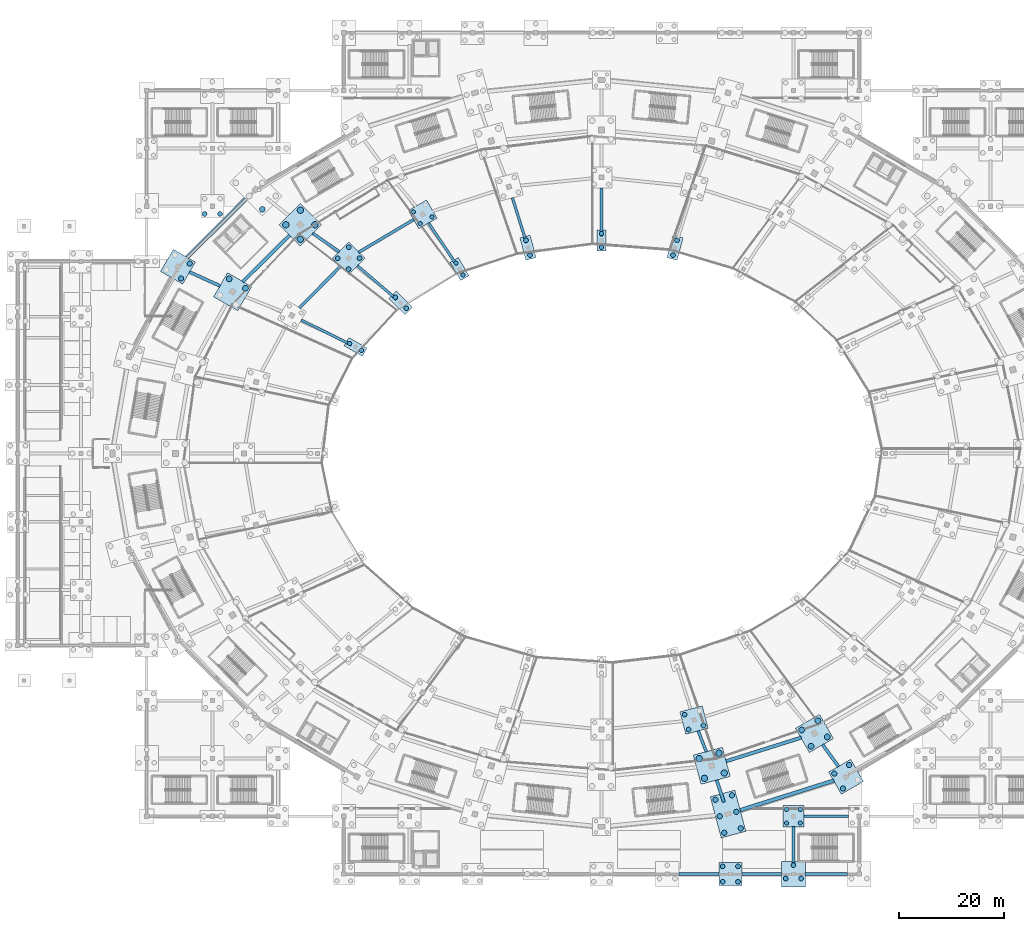
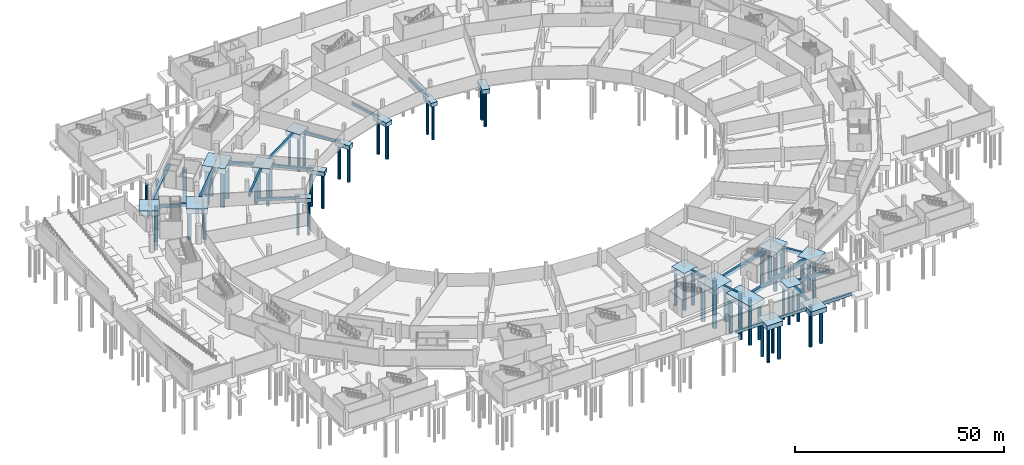
# One storey, part 5 of 74: 61 piles, 40 footings.
"""IFC4 building model written with IfcOpenShell, lengths in metres."""

import ifcopenshell
import ifcopenshell.guid

model = None  # the IFC model being written
_history = None  # IfcOwnerHistory: only IFC2X3 demands one
_inside = {}  # id of a spatial element -> (the spatial element, [elements in it])
_under = {}  # id of a project, library or spatial element -> (it, [spatial elements below it])
_declared = {}  # id of a project -> (the project, [libraries it declares])
_typed = {}  # id of a type object -> (the type object, [elements of that type])
_made_of = {}  # id of a material, layer set ... -> (it, [elements and type objects made of it])


def new_model(schema):
    """Start an empty IFC model of exactly this schema.

    Asked for "IFC4X3", IfcOpenShell would pick the latest addendum, in which some entities
    have other attributes; the version numbers below select the first issue.
    IFC2X3 requires an IfcOwnerHistory on every rooted entity: one is made here for all.
    """
    global model, _history
    if schema == "IFC4X3":
        model = ifcopenshell.file(schema_version=(4, 3, 0, 0))
    else:
        model = ifcopenshell.file(schema=schema)
    _inside.clear()
    _under.clear()
    _declared.clear()
    _typed.clear()
    _made_of.clear()
    _history = None
    if model.schema == "IFC2X3":
        org = make("IfcOrganization", Name="unknown")
        user = make(
            "IfcPersonAndOrganization",
            ThePerson=make("IfcPerson", FamilyName="unknown"),
            TheOrganization=org,
        )
        app = make(
            "IfcApplication",
            ApplicationDeveloper=org,
            Version="unknown",
            ApplicationFullName="unknown",
            ApplicationIdentifier="unknown",
        )
        _history = make(
            "IfcOwnerHistory",
            OwningUser=user,
            OwningApplication=app,
            ChangeAction="ADDED",
            CreationDate=0,
        )
    return model


def make(cls, **values):
    """One entity of the class cls with the attributes given. An attribute that is None is left unset."""
    return model.create_entity(
        cls, **{name: value for name, value in values.items() if value is not None}
    )


def rooted(cls, **values):
    """An entity with a GlobalId (a new one), such as an element, a storey or a relation."""
    return make(cls, GlobalId=ifcopenshell.guid.new(), OwnerHistory=_history, **values)


def si_unit(unit_type, name, prefix=None):
    """IfcSIUnit, for example si_unit("LENGTHUNIT", "METRE", prefix="MILLI")."""
    return make("IfcSIUnit", UnitType=unit_type, Prefix=prefix, Name=name)


def assignment(units):
    """IfcUnitAssignment: the units of a project."""
    return None if units is None else make("IfcUnitAssignment", Units=units)


def point(xyz):
    """IfcCartesianPoint."""
    return None if xyz is None else make("IfcCartesianPoint", Coordinates=xyz)


def direction(xyz):
    """IfcDirection."""
    return None if xyz is None else make("IfcDirection", DirectionRatios=xyz)


def frame(location, z_axis=None, x_axis=None):
    """IfcAxis2Placement3D, a coordinate frame: its origin and axes. An axis left out is left unset."""
    return make(
        "IfcAxis2Placement3D",
        Location=point(location),
        Axis=direction(z_axis),
        RefDirection=direction(x_axis),
    )


def frame_2d(location, x_axis=None):
    """IfcAxis2Placement2D, a coordinate frame in the plane: its origin and x axis."""
    return make(
        "IfcAxis2Placement2D", Location=point(location), RefDirection=direction(x_axis)
    )


def origin():
    """The frame at (0, 0, 0) with its axes left unset."""
    return frame((0.0, 0.0, 0.0))


def origin_2d():
    """The frame at (0, 0) in the plane with its x axis left unset."""
    return frame_2d((0.0, 0.0))


def place(relative_to, where):
    """IfcLocalPlacement: puts the frame where relative to a parent placement (None: the world)."""
    return make(
        "IfcLocalPlacement", PlacementRelTo=relative_to, RelativePlacement=where
    )


def context(
    kind, dimensions, precision=None, world=None, true_north=None, identifier=None
):
    """IfcGeometricRepresentationContext, for example the 3D "Model" context."""
    return make(
        "IfcGeometricRepresentationContext",
        ContextIdentifier=identifier,
        ContextType=kind,
        CoordinateSpaceDimension=dimensions,
        Precision=precision,
        WorldCoordinateSystem=world,
        TrueNorth=true_north,
    )


def subcontext(parent, identifier, kind, view, scale=None):
    """IfcGeometricRepresentationSubContext, for example "Body" below "Model"."""
    return make(
        "IfcGeometricRepresentationSubContext",
        ContextIdentifier=identifier,
        ContextType=kind,
        ParentContext=parent,
        TargetScale=scale,
        TargetView=view,
    )


def project(units=None, contexts=None):
    """IfcProject with its units and contexts."""
    return rooted(
        "IfcProject",
        Name="project",
        RepresentationContexts=contexts,
        UnitsInContext=assignment(units),
    )


def spatial(cls, under=None, at=None, **own):
    """A site, building, storey or space (cls), placed at a placement, below another one or the project."""
    s = rooted(cls, ObjectPlacement=at, **own)
    if under is not None:
        _under.setdefault(under.id(), (under, []))[1].append(s)
    return s


def polyline(points):
    """IfcPolyline through the points."""
    return make("IfcPolyline", Points=[point(p) for p in points])


def profile(cls, at=None, kind="AREA", **sizes):
    """A parametric profile (cls). Its sizes go by their IFC names, for example OverallWidth=200.0."""
    return make(cls, ProfileType=kind, Position=at, **sizes)


def rectangle(**sizes):
    """IfcRectangleProfileDef."""
    return profile("IfcRectangleProfileDef", **sizes)


def circle(**sizes):
    """IfcCircleProfileDef."""
    return profile("IfcCircleProfileDef", **sizes)


def outline(outer, holes=None, kind="AREA"):
    """IfcArbitraryClosedProfileDef: a profile drawn as a closed curve; with holes, ...WithVoids."""
    if holes is None:
        return make("IfcArbitraryClosedProfileDef", ProfileType=kind, OuterCurve=outer)
    return make(
        "IfcArbitraryProfileDefWithVoids",
        ProfileType=kind,
        OuterCurve=outer,
        InnerCurves=holes,
    )


def extrude(swept, where, along, depth):
    """IfcExtrudedAreaSolid: the profile swept, set in the frame where, extruded along a direction by depth."""
    return make(
        "IfcExtrudedAreaSolid",
        SweptArea=swept,
        Position=where,
        ExtrudedDirection=direction(along),
        Depth=depth,
    )


def shape(context_of_items, identifier, shape_type, items):
    """IfcShapeRepresentation: the items that make up one representation, for example the "Body"."""
    return make(
        "IfcShapeRepresentation",
        ContextOfItems=context_of_items,
        RepresentationIdentifier=identifier,
        RepresentationType=shape_type,
        Items=items,
    )


def material(Name=None, Category=None):
    """IfcMaterial."""
    return make("IfcMaterial", Name=Name, Category=Category)


def material_profile(
    of_material, cross_section, Name=None, Category=None, Priority=None
):
    """IfcMaterialProfile: a cross section and its material."""
    return make(
        "IfcMaterialProfile",
        Name=Name,
        Material=of_material,
        Profile=cross_section,
        Priority=Priority,
        Category=Category,
    )


def profile_set(profiles, Name=None, composite=None):
    """IfcMaterialProfileSet."""
    return make(
        "IfcMaterialProfileSet",
        Name=Name,
        MaterialProfiles=profiles,
        CompositeProfile=composite,
    )


def made_of(thing, what):
    """Note that an element or type object is made of a material, layer set ...; save() writes the relation."""
    if what is not None:
        _made_of.setdefault(what.id(), (what, []))[1].append(thing)
    return thing


def type_object(cls, material=None, **own):
    """A type object (cls), such as IfcWallType, which elements share."""
    return made_of(rooted(cls, **own), material)


def element(
    cls,
    number,
    at=None,
    inside=None,
    cuts=None,
    type_object=None,
    material=None,
    context=None,
    identifier="Body",
    shape_type=None,
    held_by="IfcProductDefinitionShape",
    body=None,
    shapes=None,
    **own,
):
    """One element of the class cls, such as IfcWall. Its Tag is "e" and its number.

    at: its placement. inside: the storey or other place that contains it. cuts: it is an
    opening in that element (IfcRelVoidsElement). A single representation is given by context,
    identifier, shape_type and body (its items); several are given by shapes. held_by: the class
    of the entity that holds the representations. save() writes the other relations.
    """
    e = rooted(cls, Tag="e%d" % number, ObjectPlacement=at, **own)
    if body is not None:
        shapes = [shape(context, identifier, shape_type, body)]
    if shapes is not None:
        e.Representation = make(held_by, Representations=shapes)
    if inside is not None:
        _inside.setdefault(inside.id(), (inside, []))[1].append(e)
    if cuts is not None:
        rooted(
            "IfcRelVoidsElement", RelatingBuildingElement=cuts, RelatedOpeningElement=e
        )
    if type_object is not None:
        _typed.setdefault(type_object.id(), (type_object, []))[1].append(e)
    return made_of(e, material)


def aggregate(whole, parts):
    """IfcRelAggregates: a whole, such as a stair, and the parts it consists of."""
    return rooted("IfcRelAggregates", RelatingObject=whole, RelatedObjects=parts)


def save(model, path):
    """Write the relations noted so far, then the file.

    IfcRelAggregates (storeys below a building ...), IfcRelContainedInSpatialStructure (elements
    in a storey), IfcRelDefinesByType, IfcRelAssociatesMaterial and IfcRelDeclares: one each for
    every whole, place, type object, material and project.
    """
    for whole, parts in _under.values():
        aggregate(whole, parts)
    for where, things in _inside.values():
        rooted(
            "IfcRelContainedInSpatialStructure",
            RelatedElements=things,
            RelatingStructure=where,
        )
    for kind, things in _typed.values():
        rooted("IfcRelDefinesByType", RelatedObjects=things, RelatingType=kind)
    for what, things in _made_of.values():
        rooted("IfcRelAssociatesMaterial", RelatedObjects=things, RelatingMaterial=what)
    for by, libraries in _declared.values():
        rooted("IfcRelDeclares", RelatingContext=by, RelatedDefinitions=libraries)
    model.write(path)


model = new_model("IFC4")

# Units and contexts
model_context = context("Model", 3, precision=1e-05, world=origin(), true_north=direction((0.0, 1.0)))
body_context = subcontext(model_context, "Body", "Model", "MODEL_VIEW")
ifc_project = project(units=[si_unit("LENGTHUNIT", "METRE"), si_unit("AREAUNIT", "SQUARE_METRE"), si_unit("VOLUMEUNIT", "CUBIC_METRE"), si_unit("PLANEANGLEUNIT", "RADIAN"), si_unit("MASSUNIT", "GRAM", prefix="KILO")], contexts=[model_context])

# Site, building, storey
site_placement = place(None, origin())
site = spatial("IfcSite", under=ifc_project, at=site_placement, CompositionType="ELEMENT")
building_placement = place(site_placement, origin())
building = spatial("IfcBuilding", under=site, at=building_placement, Name="Zlatoyarsky Gate Stadium", CompositionType="ELEMENT")
storey_placement = place(building_placement, frame((0.0, 0.0, -5.39990234375)))
storey = spatial("IfcBuildingStorey", under=building, at=storey_placement, Name="B1", CompositionType="ELEMENT", Elevation=-5.39990234375)

# Piles
ifc_material = material(Name="Concrete C35/45", Category="concrete")
ifc_material_profile_1 = material_profile(ifc_material, circle(Radius=0.5, at=origin_2d()), Name="BORED PILE D1000")
ifc_profile_set_1 = profile_set([ifc_material_profile_1], Name="Concrete C35/45")
pile_type_1 = type_object("IfcPileType", Name="CONCRETE BORED PILE D1000", PredefinedType="BORED", material=ifc_profile_set_1)
for number, where, z_axis, x_axis, name in (
    (1, (32.679443359375, 116.0947265625, -1.400146484375), (0.0, 0.0, -1.0), (1.0, 0.0, 0.0), "Pile 1 under RC-10"),
    (2, (31.054443359375, 113.2802734375, -1.400146484375), (0.0, 0.0, -1.0), (1.0, 0.0, 0.0), "Pile 3 under RC-10"),
):
    element("IfcPile", number, at=place(storey_placement, frame(where, z_axis=z_axis, x_axis=x_axis)), inside=storey, type_object=pile_type_1, Name=name, PredefinedType="BORED", context=body_context, shape_type="SweptSolid", body=[
        extrude(circle(Radius=0.5, at=origin_2d()), origin(), (0.0, 0.0, 1.0), 10.39990234375),
    ])
for number, where, z_axis, x_axis, name in (
    (3, (132.659423828125, 14.137939453125, -1.5), (0.0, 0.0, -1.0), (1.0, 0.0, 0.0), "Pile 1 under RC-19"),
    (4, (133.50048828125, 10.998779296875, -1.5), (0.0, 0.0, -1.0), (1.0, 0.0, 0.0), "Pile 2 under RC-19"),
    (5, (134.341796875, 7.859619140625, -1.5), (0.0, 0.0, -1.0), (1.0, 0.0, 0.0), "Pile 3 under RC-19"),
    (6, (135.798583984375, 14.97900390625, -1.5), (0.0, 0.0, -1.0), (1.0, 0.0, 0.0), "Pile 4 under RC-19"),
    (7, (136.639892578125, 11.83984375, -1.5), (0.0, 0.0, -1.0), (1.0, 0.0, 0.0), "Pile 5 under RC-19"),
    (8, (137.48095703125, 8.70068359375, -1.5), (0.0, 0.0, -1.0), (1.0, 0.0, 0.0), "Pile 6 under RC-19"),
):
    element("IfcPile", number, at=place(storey_placement, frame(where, z_axis=z_axis, x_axis=x_axis)), inside=storey, type_object=pile_type_1, Name=name, PredefinedType="BORED", context=body_context, shape_type="SweptSolid", body=[
        extrude(circle(Radius=0.5, at=origin_2d()), origin(), (0.0, 0.0, 1.0), 10.300048828125),
    ])
for number, where, z_axis, x_axis, name in (
    (9, (155.2802734375, 19.10693359375, -1.400146484375), (0.0, 0.0, -1.0), (1.0, 0.0, 0.0), "Pile 1 under RC-20"),
    (10, (156.9052734375, 16.29248046875, -1.400146484375), (0.0, 0.0, -1.0), (1.0, 0.0, 0.0), "Pile 2 under RC-20"),
    (11, (158.0947265625, 20.73193359375, -1.400146484375), (0.0, 0.0, -1.0), (1.0, 0.0, 0.0), "Pile 3 under RC-20"),
):
    element("IfcPile", number, at=place(storey_placement, frame(where, z_axis=z_axis, x_axis=x_axis)), inside=storey, type_object=pile_type_1, Name=name, PredefinedType="BORED", context=body_context, shape_type="SweptSolid", body=[
        extrude(circle(Radius=0.5, at=origin_2d()), origin(), (0.0, 0.0, 1.0), 10.39990234375),
    ])
ifc_material_profile_2 = material_profile(ifc_material, circle(Radius=0.550048828125, at=origin_2d()), Name="BORED PILE D1100")
ifc_profile_set_2 = profile_set([ifc_material_profile_2], Name="Concrete C35/45")
pile_type_2 = type_object("IfcPileType", Name="CONCRETE BORED PILE D1100", PredefinedType="BORED", material=ifc_profile_set_2)
for number, where, z_axis, x_axis, name in (
    (12, (43.293701171875, 111.404296875, -1.4501953125), (0.0, 0.0, -1.0), (1.0, 0.0, 0.0), "Pile 1 under RB-10"),
    (13, (40.197509765625, 113.19189453125, -1.4501953125), (0.0, 0.0, -1.0), (1.0, 0.0, 0.0), "Pile 2 under RB-10"),
    (14, (149.05810546875, 27.393798828125, -1.4501953125), (0.0, 0.0, -1.0), (1.0, 0.0, 0.0), "Pile 1 under RB-20"),
    (15, (150.845703125, 24.297607421875, -1.4501953125), (0.0, 0.0, -1.0), (1.0, 0.0, 0.0), "Pile 2 under RB-20"),
    (16, (152.154296875, 29.18115234375, -1.4501953125), (0.0, 0.0, -1.0), (1.0, 0.0, 0.0), "Pile 3 under RB-20"),
    (17, (153.94189453125, 26.085205078125, -1.4501953125), (0.0, 0.0, -1.0), (1.0, 0.0, 0.0), "Pile 4 under RB-20"),
):
    element("IfcPile", number, at=place(storey_placement, frame(where, z_axis=z_axis, x_axis=x_axis)), inside=storey, type_object=pile_type_2, Name=name, PredefinedType="BORED", context=body_context, shape_type="SweptSolid", body=[
        extrude(circle(Radius=0.550048828125, at=origin_2d()), origin(), (0.0, 0.0, 1.0), 10.35009765625),
    ])
pile_placement = place(storey_placement, frame((46.503173828125, 126.41259765625, -1.60009765625), z_axis=(0.0, 0.0, -1.0), x_axis=(1.0, 0.0, 0.0)))
element("IfcPile", 18, at=pile_placement, inside=storey, type_object=pile_type_2, Name="Pile 4 under RC-09", PredefinedType="BORED", context=body_context, shape_type="SweptSolid", body=[
    extrude(circle(Radius=0.550048828125, at=origin_2d()), origin(), (0.0, 0.0, 1.0), 10.199951171875),
])
ifc_material_profile_3 = material_profile(ifc_material, circle(Radius=0.60009765625, at=origin_2d()), Name="BORED PILE D1200")
ifc_profile_set_3 = profile_set([ifc_material_profile_3], Name="Concrete C35/45")
pile_type_3 = type_object("IfcPileType", Name="CONCRETE BORED PILE D1200", PredefinedType="BORED", material=ifc_profile_set_3)
for number, where, z_axis, x_axis, name in (
    (19, (56.482177734375, 123.487060546875, -1.550048828125), (0.0, 0.0, -1.0), (1.0, 0.0, 0.0), "Pile 1 under RB-09"),
    (20, (53.724365234375, 126.244873046875, -1.550048828125), (0.0, 0.0, -1.0), (1.0, 0.0, 0.0), "Pile 2 under RB-09"),
    (21, (53.724365234375, 120.7294921875, -1.550048828125), (0.0, 0.0, -1.0), (1.0, 0.0, 0.0), "Pile 3 under RB-09"),
    (22, (50.966796875, 123.487060546875, -1.550048828125), (0.0, 0.0, -1.0), (1.0, 0.0, 0.0), "Pile 4 under RB-09"),
    (23, (129.575927734375, 21.974609375, -1.550048828125), (0.0, 0.0, -1.0), (1.0, 0.0, 0.0), "Pile 1 under RB-19"),
    (24, (130.58544921875, 18.207275390625, -1.550048828125), (0.0, 0.0, -1.0), (1.0, 0.0, 0.0), "Pile 2 under RB-19"),
    (25, (133.34326171875, 22.98388671875, -1.550048828125), (0.0, 0.0, -1.0), (1.0, 0.0, 0.0), "Pile 3 under RB-19"),
    (26, (134.3525390625, 19.216796875, -1.550048828125), (0.0, 0.0, -1.0), (1.0, 0.0, 0.0), "Pile 4 under RB-19"),
):
    element("IfcPile", number, at=place(storey_placement, frame(where, z_axis=z_axis, x_axis=x_axis)), inside=storey, type_object=pile_type_3, Name=name, PredefinedType="BORED", context=body_context, shape_type="SweptSolid", body=[
        extrude(circle(Radius=0.60009765625, at=origin_2d()), origin(), (0.0, 0.0, 1.0), 10.25),
    ])
ifc_material_profile_4 = material_profile(ifc_material, circle(Radius=0.39990234375, at=origin_2d()), Name="BORED PILE D800")
ifc_profile_set_4 = profile_set([ifc_material_profile_4], Name="Concrete C35/45")
pile_type_4 = type_object("IfcPileType", Name="CONCRETE BORED PILE D800", PredefinedType="BORED", material=ifc_profile_set_4)
for number, where, z_axis, x_axis, name in (
    (27, (111.0, 119.199951171875, -1.10009765625), (0.0, 0.0, -1.0), (1.0, 0.0, 0.0), "Pile 1 under R0-06"),
    (28, (111.0, 121.800048828125, -1.10009765625), (0.0, 0.0, -1.0), (1.0, 0.0, 0.0), "Pile 2 under R0-06"),
    (29, (84.64990234375, 113.9482421875, -1.10009765625), (0.0, 0.0, -1.0), (1.0, 0.0, 0.0), "Pile 1 under R0-08"),
    (30, (83.35009765625, 116.19970703125, -1.10009765625), (0.0, 0.0, -1.0), (1.0, 0.0, 0.0), "Pile 2 under R0-08"),
    (31, (65.3603515625, 99.60009765625, -1.10009765625), (0.0, 0.0, -1.0), (1.0, 0.0, 0.0), "Pile 1 under R0-10"),
    (32, (63.10888671875, 100.89990234375, -1.10009765625), (0.0, 0.0, -1.0), (1.0, 0.0, 0.0), "Pile 2 under R0-10"),
):
    element("IfcPile", number, at=place(storey_placement, frame(where, z_axis=z_axis, x_axis=x_axis)), inside=storey, type_object=pile_type_4, Name=name, PredefinedType="BORED", context=body_context, shape_type="SweptSolid", body=[
        extrude(circle(Radius=0.39990234375, at=origin_2d()), origin(), (0.0, 0.0, 1.0), 10.10009765625),
    ])
for number, where, z_axis, x_axis, name in (
    (33, (78.77587890625, 124.990478515625, -1.25), (0.0, 0.0, -1.0), (1.0, 0.0, 0.0), "Pile 1 under RA-08"),
    (34, (76.524169921875, 123.6904296875, -1.25), (0.0, 0.0, -1.0), (1.0, 0.0, 0.0), "Pile 3 under RA-08"),
    (35, (75.22412109375, 125.942138671875, -1.25), (0.0, 0.0, -1.0), (1.0, 0.0, 0.0), "Pile 4 under RA-08"),
    (36, (146.199951171875, 9.699951171875, -1.25), (0.0, 0.0, -1.0), (1.0, 0.0, 0.0), "Pile 1 under WG-13-B"),
    (37, (148.800048828125, 9.699951171875, -1.25), (0.0, 0.0, -1.0), (1.0, 0.0, 0.0), "Pile 2 under WG-13-B"),
    (38, (146.199951171875, 12.300048828125, -1.25), (0.0, 0.0, -1.0), (1.0, 0.0, 0.0), "Pile 3 under WG-13-B"),
    (39, (148.800048828125, 12.300048828125, -1.25), (0.0, 0.0, -1.0), (1.0, 0.0, 0.0), "Pile 4 under WG-13-B"),
):
    element("IfcPile", number, at=place(storey_placement, frame(where, z_axis=z_axis, x_axis=x_axis)), inside=storey, type_object=pile_type_4, Name=name, PredefinedType="BORED", context=body_context, shape_type="SweptSolid", body=[
        extrude(circle(Radius=0.39990234375, at=origin_2d()), origin(), (0.0, 0.0, 1.0), 9.949951171875),
    ])
ifc_material_profile_5 = material_profile(ifc_material, circle(Radius=0.449951171875, at=origin_2d()), Name="BORED PILE D900")
ifc_profile_set_5 = profile_set([ifc_material_profile_5], Name="Concrete C35/45")
pile_type_5 = type_object("IfcPileType", Name="CONCRETE BORED PILE D900", PredefinedType="BORED", material=ifc_profile_set_5)
for number, where, z_axis, x_axis, name in (
    (40, (124.59765625, 117.707275390625, -1.150146484375), (0.0, 0.0, -1.0), (1.0, 0.0, 0.0), "Pile 1 under R0-05"),
    (41, (125.354736328125, 120.53271484375, -1.150146484375), (0.0, 0.0, -1.0), (1.0, 0.0, 0.0), "Pile 2 under R0-05"),
    (42, (97.40234375, 117.707275390625, -1.150146484375), (0.0, 0.0, -1.0), (1.0, 0.0, 0.0), "Pile 1 under R0-07"),
    (43, (96.645263671875, 120.53271484375, -1.150146484375), (0.0, 0.0, -1.0), (1.0, 0.0, 0.0), "Pile 2 under R0-07"),
    (44, (73.850341796875, 107.603759765625, -1.150146484375), (0.0, 0.0, -1.0), (1.0, 0.0, 0.0), "Pile 1 under R0-09"),
    (45, (71.781982421875, 109.671875, -1.150146484375), (0.0, 0.0, -1.0), (1.0, 0.0, 0.0), "Pile 2 under R0-09"),
):
    element("IfcPile", number, at=place(storey_placement, frame(where, z_axis=z_axis, x_axis=x_axis)), inside=storey, type_object=pile_type_5, Name=name, PredefinedType="BORED", context=body_context, shape_type="SweptSolid", body=[
        extrude(circle(Radius=0.449951171875, at=origin_2d()), origin(), (0.0, 0.0, 1.0), 10.050048828125),
    ])
for number, where, z_axis, x_axis, name in (
    (46, (64.985107421875, 117.123046875, -1.300048828125), (0.0, 0.0, -1.0), (1.0, 0.0, 0.0), "Pile 1 under RA-09"),
    (47, (62.916748046875, 119.19140625, -1.300048828125), (0.0, 0.0, -1.0), (1.0, 0.0, 0.0), "Pile 2 under RA-09"),
    (48, (62.916748046875, 115.0546875, -1.300048828125), (0.0, 0.0, -1.0), (1.0, 0.0, 0.0), "Pile 3 under RA-09"),
    (49, (60.848388671875, 117.123046875, -1.300048828125), (0.0, 0.0, -1.0), (1.0, 0.0, 0.0), "Pile 4 under RA-09"),
    (50, (126.80859375, 30.322998046875, -1.300048828125), (0.0, 0.0, -1.0), (1.0, 0.0, 0.0), "Pile 1 under RA-19"),
    (51, (127.565673828125, 27.497802734375, -1.300048828125), (0.0, 0.0, -1.0), (1.0, 0.0, 0.0), "Pile 2 under RA-19"),
    (52, (130.390869140625, 28.2548828125, -1.300048828125), (0.0, 0.0, -1.0), (1.0, 0.0, 0.0), "Pile 4 under RA-19"),
    (53, (134.03759765625, -1.46240234375, -1.300048828125), (0.0, 0.0, -1.0), (1.0, 0.0, 0.0), "Pile 1 under WG-12-A"),
    (54, (136.96240234375, -1.46240234375, -1.300048828125), (0.0, 0.0, -1.0), (1.0, 0.0, 0.0), "Pile 2 under WG-12-A"),
    (55, (134.03759765625, 1.46240234375, -1.300048828125), (0.0, 0.0, -1.0), (1.0, 0.0, 0.0), "Pile 3 under WG-12-A"),
    (56, (136.96240234375, 1.46240234375, -1.300048828125), (0.0, 0.0, -1.0), (1.0, 0.0, 0.0), "Pile 4 under WG-12-A"),
):
    element("IfcPile", number, at=place(storey_placement, frame(where, z_axis=z_axis, x_axis=x_axis)), inside=storey, type_object=pile_type_5, Name=name, PredefinedType="BORED", context=body_context, shape_type="SweptSolid", body=[
        extrude(circle(Radius=0.449951171875, at=origin_2d()), origin(), (0.0, 0.0, 1.0), 9.89990234375),
    ])
for number, where, z_axis, x_axis, name in (
    (57, (146.03759765625, -0.84423828125, -1.25), (0.0, 0.0, -1.0), (1.0, 0.0, 0.0), "Pile 1 under WG-13-A"),
    (58, (148.96240234375, -0.84423828125, -1.25), (0.0, 0.0, -1.0), (1.0, 0.0, 0.0), "Pile 2 under WG-13-A"),
    (59, (147.5, 1.688720703125, -1.25), (0.0, 0.0, -1.0), (1.0, 0.0, 0.0), "Pile 3 under WG-13-A"),
):
    element("IfcPile", number, at=place(storey_placement, frame(where, z_axis=z_axis, x_axis=x_axis)), inside=storey, type_object=pile_type_5, Name=name, PredefinedType="BORED", context=body_context, shape_type="SweptSolid", body=[
        extrude(circle(Radius=0.449951171875, at=origin_2d()), origin(), (0.0, 0.0, 1.0), 9.949951171875),
    ])
for number, where, z_axis, x_axis, name in (
    (60, (35.53759765625, 125.53759765625, -1.300048828125), (0.0, 0.0, -1.0), (1.0, 0.0, 0.0), "Pile 1 under WG-4-M"),
    (61, (38.46240234375, 125.53759765625, -1.300048828125), (0.0, 0.0, -1.0), (1.0, 0.0, 0.0), "Pile 2 under WG-4-M"),
):
    element("IfcPile", number, at=place(storey_placement, frame(where, z_axis=z_axis, x_axis=x_axis)), inside=storey, type_object=pile_type_5, Name=name, PredefinedType="BORED", context=body_context, shape_type="SweptSolid", body=[
        extrude(circle(Radius=0.449951171875, at=origin_2d()), origin(), (0.0, 0.0, 1.0), 9.89990234375),
    ])

# Footings
ifc_material_profile_6 = material_profile(ifc_material, rectangle(XDim=0.5, YDim=0.800048828125, at=origin_2d()), Name="GB 500X800")
ifc_profile_set_6 = profile_set([ifc_material_profile_6], Name="Concrete C35/45")
footing_type_1 = type_object("IfcFootingType", Name="CONCRETE GROUND TIE BEAM 500X800", PredefinedType="STRIP_FOOTING", material=ifc_profile_set_6)
footing_1_placement = place(storey_placement, frame((0.0, 0.0, -0.800048828125)))
element("IfcFooting", 62, at=footing_1_placement, inside=storey, type_object=footing_type_1, Name="Ground tie beam GB-01 R0-06 to RA-06", PredefinedType="STRIP_FOOTING", context=body_context, shape_type="SweptSolid", body=[
    extrude(outline(polyline([(111.25, 121.389892578125), (111.25, 130.510009765625), (110.75, 130.510009765625), (110.75, 121.389892578125), (111.25, 121.389892578125)])), origin(), (0.0, 0.0, 1.0), 0.800048828125),
])
footing_2_placement = place(storey_placement, frame((0.0, 0.0, -0.800048828125)))
element("IfcFooting", 63, at=footing_2_placement, inside=storey, type_object=footing_type_1, Name="Ground tie beam GB-01 R0-07 to RA-07", PredefinedType="STRIP_FOOTING", context=body_context, shape_type="SweptSolid", body=[
    extrude(outline(polyline([(96.967041015625, 120.139404296875), (94.292236328125, 128.695556640625), (93.815185546875, 128.54638671875), (96.48974609375, 119.990234375), (96.967041015625, 120.139404296875)])), origin(), (0.0, 0.0, 1.0), 0.800048828125),
])
footing_3_placement = place(storey_placement, frame((0.0, 0.0, -0.800048828125)))
element("IfcFooting", 64, at=footing_3_placement, inside=storey, type_object=footing_type_1, Name="Ground tie beam GB-01 R0-08 to RA-08", PredefinedType="STRIP_FOOTING", context=body_context, shape_type="SweptSolid", body=[
    extrude(outline(polyline([(83.710205078125, 115.951904296875), (78.319091796875, 123.95556640625), (77.904296875, 123.676025390625), (83.29541015625, 115.672607421875), (83.710205078125, 115.951904296875)])), origin(), (0.0, 0.0, 1.0), 0.800048828125),
])
footing_4_placement = place(storey_placement, frame((0.0, 0.0, -0.800048828125)))
element("IfcFooting", 65, at=footing_4_placement, inside=storey, type_object=footing_type_1, Name="Ground tie beam GB-01 R0-09 to RA-09", PredefinedType="STRIP_FOOTING", context=body_context, shape_type="SweptSolid", body=[
    extrude(outline(polyline([(72.227294921875, 109.471923828125), (64.7421875, 115.8876953125), (64.416748046875, 115.508056640625), (71.90185546875, 109.09228515625), (72.227294921875, 109.471923828125)])), origin(), (0.0, 0.0, 1.0), 0.800048828125),
])
footing_5_placement = place(storey_placement, frame((0.0, 0.0, -0.800048828125)))
element("IfcFooting", 66, at=footing_5_placement, inside=storey, type_object=footing_type_1, Name="Ground tie beam GB-01 R0-10 to RA-10", PredefinedType="STRIP_FOOTING", context=body_context, shape_type="SweptSolid", body=[
    extrude(outline(polyline([(63.5478515625, 100.86865234375), (54.0048828125, 105.591552734375), (53.782958984375, 105.143310546875), (63.325927734375, 100.420654296875), (63.5478515625, 100.86865234375)])), origin(), (0.0, 0.0, 1.0), 0.800048828125),
])
ifc_material_profile_7 = material_profile(ifc_material, rectangle(XDim=0.550048828125, YDim=0.85009765625, at=origin_2d()), Name="GB 550X850")
ifc_profile_set_7 = profile_set([ifc_material_profile_7], Name="Concrete C35/45")
footing_type_2 = type_object("IfcFootingType", Name="CONCRETE GROUND TIE BEAM 550X850", PredefinedType="STRIP_FOOTING", material=ifc_profile_set_7)
footing_6_placement = place(storey_placement, frame((0.0, 0.0, -0.85009765625)))
element("IfcFooting", 67, at=footing_6_placement, inside=storey, type_object=footing_type_2, Name="Ground tie beam GB-02 RA-08 to RA-09", PredefinedType="STRIP_FOOTING", context=body_context, shape_type="SweptSolid", body=[
    extrude(outline(polyline([(75.147705078125, 124.6884765625), (64.66064453125, 118.475830078125), (64.941162109375, 118.002685546875), (75.427978515625, 124.21533203125), (75.147705078125, 124.6884765625)])), origin(), (0.0, 0.0, 1.0), 0.85009765625),
])
footing_7_placement = place(storey_placement, frame((0.0, 0.0, -0.85009765625)))
element("IfcFooting", 68, at=footing_7_placement, inside=storey, type_object=footing_type_2, Name="Ground tie beam GB-02 RA-09 to RB-09", PredefinedType="STRIP_FOOTING", context=body_context, shape_type="SweptSolid", body=[
    extrude(outline(polyline([(61.272705078125, 118.595703125), (56.236572265625, 122.08251953125), (55.923583984375, 121.630126953125), (60.95947265625, 118.1435546875), (61.272705078125, 118.595703125)])), origin(), (0.0, 0.0, 1.0), 0.85009765625),
])
footing_8_placement = place(storey_placement, frame((0.0, 0.0, -0.85009765625)))
element("IfcFooting", 69, at=footing_8_placement, inside=storey, type_object=footing_type_2, Name="Ground tie beam GB-02 RA-09 to RA-10", PredefinedType="STRIP_FOOTING", context=body_context, shape_type="SweptSolid", body=[
    extrude(outline(polyline([(61.177734375, 115.763671875), (53.318115234375, 107.85546875), (53.708251953125, 107.467529296875), (61.56787109375, 115.3759765625), (61.177734375, 115.763671875)])), origin(), (0.0, 0.0, 1.0), 0.85009765625),
])
footing_9_placement = place(storey_placement, frame((0.0, 0.0, -0.85009765625)))
element("IfcFooting", 70, at=footing_9_placement, inside=storey, type_object=footing_type_2, Name="Ground tie beam GB-02 RA-19 to RB-19", PredefinedType="STRIP_FOOTING", context=body_context, shape_type="SweptSolid", body=[
    extrude(outline(polyline([(129.1337890625, 27.147216796875), (130.673828125, 23.168212890625), (131.186767578125, 23.36669921875), (129.646728515625, 27.345703125), (129.1337890625, 27.147216796875)])), origin(), (0.0, 0.0, 1.0), 0.85009765625),
])
footing_10_placement = place(storey_placement, frame((0.0, 0.0, -0.85009765625)))
element("IfcFooting", 71, at=footing_10_placement, inside=storey, type_object=footing_type_2, Name="Ground tie beam GB-02 WG-11-A to WG-12-A", PredefinedType="STRIP_FOOTING", context=body_context, shape_type="SweptSolid", body=[
    extrude(outline(polyline([(125.739990234375, -0.27490234375), (133.31005859375, -0.27490234375), (133.31005859375, 0.27490234375), (125.739990234375, 0.27490234375), (125.739990234375, -0.27490234375)])), origin(), (0.0, 0.0, 1.0), 0.85009765625),
])
footing_11_placement = place(storey_placement, frame((0.0, 0.0, -0.85009765625)))
element("IfcFooting", 72, at=footing_11_placement, inside=storey, type_object=footing_type_2, Name="Ground tie beam GB-02 WG-12-A to WG-13-A", PredefinedType="STRIP_FOOTING", context=body_context, shape_type="SweptSolid", body=[
    extrude(outline(polyline([(137.68994140625, -0.27490234375), (145.260009765625, -0.27490234375), (145.260009765625, 0.27490234375), (137.68994140625, 0.27490234375), (137.68994140625, -0.27490234375)])), origin(), (0.0, 0.0, 1.0), 0.85009765625),
])
footing_12_placement = place(storey_placement, frame((0.0, 0.0, -0.85009765625)))
element("IfcFooting", 73, at=footing_12_placement, inside=storey, type_object=footing_type_2, Name="Ground tie beam GB-02 WG-13-A to WG-14-A", PredefinedType="STRIP_FOOTING", context=body_context, shape_type="SweptSolid", body=[
    extrude(outline(polyline([(149.739990234375, -0.27490234375), (157.760009765625, -0.27490234375), (157.760009765625, 0.27490234375), (149.739990234375, 0.27490234375), (149.739990234375, -0.27490234375)])), origin(), (0.0, 0.0, 1.0), 0.85009765625),
])
footing_13_placement = place(storey_placement, frame((0.0, 0.0, -0.85009765625)))
element("IfcFooting", 74, at=footing_13_placement, inside=storey, type_object=footing_type_2, Name="Ground tie beam GB-02 WG-13-B to WG-14-B", PredefinedType="STRIP_FOOTING", context=body_context, shape_type="SweptSolid", body=[
    extrude(outline(polyline([(149.489990234375, 10.72509765625), (158.010009765625, 10.72509765625), (158.010009765625, 11.27490234375), (149.489990234375, 11.27490234375), (149.489990234375, 10.72509765625)])), origin(), (0.0, 0.0, 1.0), 0.85009765625),
])
ifc_material_profile_8 = material_profile(ifc_material, rectangle(XDim=0.60009765625, YDim=0.89990234375, at=origin_2d()), Name="GB 600X900")
ifc_profile_set_8 = profile_set([ifc_material_profile_8], Name="Concrete C35/45")
footing_type_3 = type_object("IfcFootingType", Name="CONCRETE GROUND TIE BEAM 600X900", PredefinedType="STRIP_FOOTING", material=ifc_profile_set_8)
footing_14_placement = place(storey_placement, frame((0.0, 0.0, -0.900146484375)))
element("IfcFooting", 75, at=footing_14_placement, inside=storey, type_object=footing_type_3, Name="Ground tie beam GB-03 RB-10 to RC-10", PredefinedType="STRIP_FOOTING", context=body_context, shape_type="SweptSolid", body=[
    extrude(outline(polyline([(38.575439453125, 112.120361328125), (32.78076171875, 114.76904296875), (32.53125, 114.22314453125), (38.326171875, 111.57470703125), (38.575439453125, 112.120361328125)])), origin(), (0.0, 0.0, 1.0), 0.900146484375),
])
footing_15_placement = place(storey_placement, frame((0.0, 0.0, -0.900146484375)))
element("IfcFooting", 76, at=footing_15_placement, inside=storey, type_object=footing_type_3, Name="Ground tie beam GB-03 RB-19 to RC-19", PredefinedType="STRIP_FOOTING", context=body_context, shape_type="SweptSolid", body=[
    extrude(outline(polyline([(132.5986328125, 17.78564453125), (134.01171875, 13.610595703125), (134.580078125, 13.802978515625), (133.1669921875, 17.97802734375), (132.5986328125, 17.78564453125)])), origin(), (0.0, 0.0, 1.0), 0.900146484375),
])
footing_16_placement = place(storey_placement, frame((0.0, 0.0, -0.900146484375)))
element("IfcFooting", 77, at=footing_16_placement, inside=storey, type_object=footing_type_3, Name="Ground tie beam GB-03 RB-20 to RC-20", PredefinedType="STRIP_FOOTING", context=body_context, shape_type="SweptSolid", body=[
    extrude(outline(polyline([(152.813232421875, 24.4296875), (155.834716796875, 20.28662109375), (156.3193359375, 20.64013671875), (153.298095703125, 24.783203125), (152.813232421875, 24.4296875)])), origin(), (0.0, 0.0, 1.0), 0.900146484375),
])
footing_17_placement = place(storey_placement, frame((0.0, 0.0, -0.900146484375)))
element("IfcFooting", 78, at=footing_17_placement, inside=storey, type_object=footing_type_3, Name="Ground tie beam GB-03 WG-13-A to WG-13-B", PredefinedType="STRIP_FOOTING", context=body_context, shape_type="SweptSolid", body=[
    extrude(outline(polyline([(147.800048828125, 2.239990234375), (147.800048828125, 9.010009765625), (147.199951171875, 9.010009765625), (147.199951171875, 2.239990234375), (147.800048828125, 2.239990234375)])), origin(), (0.0, 0.0, 1.0), 0.900146484375),
])
ifc_material_profile_9 = material_profile(ifc_material, rectangle(XDim=0.64990234375, YDim=0.949951171875, at=origin_2d()), Name="GB 650X950")
ifc_profile_set_9 = profile_set([ifc_material_profile_9], Name="Concrete C35/45")
footing_type_4 = type_object("IfcFootingType", Name="CONCRETE GROUND TIE BEAM 650X950", PredefinedType="STRIP_FOOTING", material=ifc_profile_set_9)
footing_18_placement = place(storey_placement, frame((0.0, 0.0, -0.9501953125)))
element("IfcFooting", 79, at=footing_18_placement, inside=storey, type_object=footing_type_4, Name="Ground tie beam GB-04 RB-09 to RB-10", PredefinedType="STRIP_FOOTING", context=body_context, shape_type="SweptSolid", body=[
    extrude(outline(polyline([(51.459228515625, 121.703125), (42.5, 112.837890625), (42.95703125, 112.3759765625), (51.91650390625, 121.240966796875), (51.459228515625, 121.703125)])), origin(), (0.0, 0.0, 1.0), 0.9501953125),
])
footing_19_placement = place(storey_placement, frame((0.0, 0.0, -0.9501953125)))
element("IfcFooting", 80, at=footing_19_placement, inside=storey, type_object=footing_type_4, Name="Ground tie beam GB-04 RB-19 to RB-20", PredefinedType="STRIP_FOOTING", context=body_context, shape_type="SweptSolid", body=[
    extrude(outline(polyline([(134.794921875, 21.14501953125), (149.0791015625, 25.637451171875), (148.884033203125, 26.25732421875), (134.599853515625, 21.76513671875), (134.794921875, 21.14501953125)])), origin(), (0.0, 0.0, 1.0), 0.9501953125),
])
ifc_material_profile_10 = material_profile(ifc_material, rectangle(XDim=0.699951171875, YDim=1.0, at=origin_2d()), Name="GB 700X1000")
ifc_profile_set_10 = profile_set([ifc_material_profile_10], Name="Concrete C35/45")
footing_type_5 = type_object("IfcFootingType", Name="CONCRETE GROUND TIE BEAM 700X1000", PredefinedType="STRIP_FOOTING", material=ifc_profile_set_10)
footing_20_placement = place(storey_placement, frame((0.0, 0.0, -1.0)))
element("IfcFooting", 81, at=footing_20_placement, inside=storey, type_object=footing_type_5, Name="Ground tie beam GB-05 RC-09 to RC-10", PredefinedType="STRIP_FOOTING", context=body_context, shape_type="SweptSolid", body=[
    extrude(outline(polyline([(43.120849609375, 128.5908203125), (31.9248046875, 117.451416015625), (32.41845703125, 116.955078125), (43.614501953125, 128.094482421875), (43.120849609375, 128.5908203125)])), origin(), (0.0, 0.0, 1.0), 1.0),
])
footing_21_placement = place(storey_placement, frame((0.0, 0.0, -1.0)))
element("IfcFooting", 82, at=footing_21_placement, inside=storey, type_object=footing_type_5, Name="Ground tie beam GB-05 RC-19 to RC-20", PredefinedType="STRIP_FOOTING", context=body_context, shape_type="SweptSolid", body=[
    extrude(outline(polyline([(137.478271484375, 11.813720703125), (155.302978515625, 17.450439453125), (155.091796875, 18.117919921875), (137.267333984375, 12.481201171875), (137.478271484375, 11.813720703125)])), origin(), (0.0, 0.0, 1.0), 1.0),
])
footing_type_6 = type_object("IfcFootingType", Name="CONCRETE PILE CAP 4000X1800X1200", PredefinedType="PILE_CAP", material=ifc_material)
for number, where, z_axis, x_axis, name in (
    (83, (111.0, 120.5, -1.2001953125), (0.0, 0.0, 1.0), (0.0, 1.0, 0.0), "Pile cap PC-01 at R0-06"),
    (84, (84.0, 115.073974609375, -1.2001953125), (0.0, 0.0, 1.0), (-0.5, 0.866025403784, 0.0), "Pile cap PC-01 at R0-08"),
    (85, (64.234619140625, 100.25, -1.2001953125), (0.0, 0.0, 1.0), (-0.866025403784, 0.5, 0.0), "Pile cap PC-01 at R0-10"),
):
    element("IfcFooting", number, at=place(storey_placement, frame(where, z_axis=z_axis, x_axis=x_axis)), inside=storey, type_object=footing_type_6, Name=name, PredefinedType="PILE_CAP", context=body_context, shape_type="SweptSolid", body=[
        extrude(rectangle(XDim=4.0, YDim=1.800048828125, at=origin_2d()), origin(), (0.0, 0.0, 1.0), 1.199951171875),
    ])
footing_type_7 = type_object("IfcFootingType", Name="CONCRETE PILE CAP 4000X4000X1350", PredefinedType="PILE_CAP", material=ifc_material)
for number, where, z_axis, x_axis, name in (
    (86, (77.0, 125.46630859375, -1.35009765625), (0.0, 0.0, 1.0), (-0.5, 0.866025403784, 0.0), "Pile cap PC-05 at RA-08"),
    (87, (147.5, 11.0, -1.35009765625), (0.0, 0.0, 1.0), (1.0, 0.0, 0.0), "Pile cap PC-05 at WG-13-B"),
):
    element("IfcFooting", number, at=place(storey_placement, frame(where, z_axis=z_axis, x_axis=x_axis)), inside=storey, type_object=footing_type_7, Name=name, PredefinedType="PILE_CAP", context=body_context, shape_type="SweptSolid", body=[
        extrude(rectangle(XDim=4.0, YDim=4.0, at=origin_2d()), origin(), (0.0, 0.0, 1.0), 1.35009765625),
    ])
footing_type_8 = type_object("IfcFootingType", Name="CONCRETE PILE CAP 4400X2000X1250", PredefinedType="PILE_CAP", material=ifc_material)
for number, where, z_axis, x_axis, name in (
    (88, (124.976318359375, 119.1201171875, -1.25), (0.0, 0.0, 1.0), (0.258819045103, 0.965925826289, 0.0), "Pile cap PC-02 at R0-05"),
    (89, (97.023681640625, 119.1201171875, -1.25), (0.0, 0.0, 1.0), (-0.258819045103, 0.965925826289, 0.0), "Pile cap PC-02 at R0-07"),
    (90, (72.816162109375, 108.6376953125, -1.25), (0.0, 0.0, 1.0), (-0.707106781187, 0.707106781187, 0.0), "Pile cap PC-02 at R0-09"),
):
    element("IfcFooting", number, at=place(storey_placement, frame(where, z_axis=z_axis, x_axis=x_axis)), inside=storey, type_object=footing_type_8, Name=name, PredefinedType="PILE_CAP", context=body_context, shape_type="SweptSolid", body=[
        extrude(rectangle(XDim=4.39990234375, YDim=2.0, at=origin_2d()), origin(), (0.0, 0.0, 1.0), 1.25),
    ])
footing_type_9 = type_object("IfcFootingType", Name="CONCRETE PILE CAP 4400X4400X1400", PredefinedType="PILE_CAP", material=ifc_material)
for number, where, z_axis, x_axis, name in (
    (91, (62.916748046875, 117.123046875, -1.400146484375), (0.0, 0.0, 1.0), (-0.707106781187, 0.707106781187, 0.0), "Pile cap PC-06 at RA-09"),
    (92, (128.599609375, 29.288818359375, -1.400146484375), (0.0, 0.0, 1.0), (0.258819045103, -0.965925826289, 0.0), "Pile cap PC-06 at RA-19"),
    (93, (135.5, 0.0, -1.400146484375), (0.0, 0.0, 1.0), (1.0, 0.0, 0.0), "Pile cap PC-06 at WG-12-A"),
):
    element("IfcFooting", number, at=place(storey_placement, frame(where, z_axis=z_axis, x_axis=x_axis)), inside=storey, type_object=footing_type_9, Name=name, PredefinedType="PILE_CAP", context=body_context, shape_type="SweptSolid", body=[
        extrude(rectangle(XDim=4.39990234375, YDim=4.39990234375, at=origin_2d()), origin(), (0.0, 0.0, 1.0), 1.39990234375),
    ])
footing_type_10 = type_object("IfcFootingType", Name="CONCRETE PILE CAP 4500X4850X1350", PredefinedType="PILE_CAP", material=ifc_material)
footing_22_placement = place(storey_placement, frame((147.5, 0.0, -1.35009765625), z_axis=(0.0, 0.0, 1.0), x_axis=(1.0, 0.0, 0.0)))
element("IfcFooting", 94, at=footing_22_placement, inside=storey, type_object=footing_type_10, Name="Pile cap PC-04 at WG-13-A", PredefinedType="PILE_CAP", context=body_context, shape_type="SweptSolid", body=[
    extrude(rectangle(XDim=4.5, YDim=4.85009765625, at=origin_2d()), origin(), (0.0, 0.0, 1.0), 1.35009765625),
])
footing_type_11 = type_object("IfcFootingType", Name="CONCRETE PILE CAP 4850X4850X1500", PredefinedType="PILE_CAP", material=ifc_material)
for number, where, z_axis, x_axis, name in (
    (95, (30.459716796875, 115.5, -1.5), (0.0, 0.0, 1.0), (-0.866025403784, 0.5, 0.0), "Pile cap PC-07 at RC-10"),
    (96, (157.5, 18.51220703125, -1.5), (0.0, 0.0, 1.0), (0.5, -0.866025403784, 0.0), "Pile cap PC-07 at RC-20"),
):
    element("IfcFooting", number, at=place(storey_placement, frame(where, z_axis=z_axis, x_axis=x_axis)), inside=storey, type_object=footing_type_11, Name=name, PredefinedType="PILE_CAP", context=body_context, shape_type="SweptSolid", body=[
        extrude(rectangle(XDim=4.85009765625, YDim=4.85009765625, at=origin_2d()), origin(), (0.0, 0.0, 1.0), 1.5),
    ])
footing_type_12 = type_object("IfcFootingType", Name="CONCRETE PILE CAP 5300X5300X1550", PredefinedType="PILE_CAP", material=ifc_material)
for number, where, z_axis, x_axis, name in (
    (97, (40.851806640625, 110.75, -1.55029296875), (0.0, 0.0, 1.0), (-0.866025403784, 0.5, 0.0), "Pile cap PC-08 at RB-10"),
    (98, (151.5, 26.739501953125, -1.55029296875), (0.0, 0.0, 1.0), (0.5, -0.866025403784, 0.0), "Pile cap PC-08 at RB-20"),
):
    element("IfcFooting", number, at=place(storey_placement, frame(where, z_axis=z_axis, x_axis=x_axis)), inside=storey, type_object=footing_type_12, Name=name, PredefinedType="PILE_CAP", context=body_context, shape_type="SweptSolid", body=[
        extrude(rectangle(XDim=5.300048828125, YDim=5.300048828125, at=origin_2d()), origin(), (0.0, 0.0, 1.0), 1.550048828125),
    ])
footing_type_13 = type_object("IfcFootingType", Name="CONCRETE PILE CAP 5750X5750X1650", PredefinedType="PILE_CAP", material=ifc_material)
for number, where, z_axis, x_axis, name in (
    (99, (53.724365234375, 123.487060546875, -1.650146484375), (0.0, 0.0, 1.0), (-0.707106781187, 0.707106781187, 0.0), "Pile cap PC-09 at RB-09"),
    (100, (131.96435546875, 20.595703125, -1.650146484375), (0.0, 0.0, 1.0), (0.258819045103, -0.965925826289, 0.0), "Pile cap PC-09 at RB-19"),
):
    element("IfcFooting", number, at=place(storey_placement, frame(where, z_axis=z_axis, x_axis=x_axis)), inside=storey, type_object=footing_type_13, Name=name, PredefinedType="PILE_CAP", context=body_context, shape_type="SweptSolid", body=[
        extrude(rectangle(XDim=5.75, YDim=5.75, at=origin_2d()), origin(), (0.0, 0.0, 1.0), 1.64990234375),
    ])
footing_type_14 = type_object("IfcFootingType", Name="CONCRETE PILE CAP 8100X4850X1600", PredefinedType="PILE_CAP", material=ifc_material)
footing_23_placement = place(storey_placement, frame((135.0703125, 11.419189453125, -1.60009765625), z_axis=(0.0, 0.0, 1.0), x_axis=(0.258819045103, -0.965925826289, 0.0)))
element("IfcFooting", 101, at=footing_23_placement, inside=storey, type_object=footing_type_14, Name="Pile cap PC-11 at RC-19", PredefinedType="PILE_CAP", context=body_context, shape_type="SweptSolid", body=[
    extrude(rectangle(XDim=8.10009765625, YDim=4.85009765625, at=origin_2d()), origin(), (0.0, 0.0, 1.0), 1.60009765625),
])

save(model, "model.ifc")
